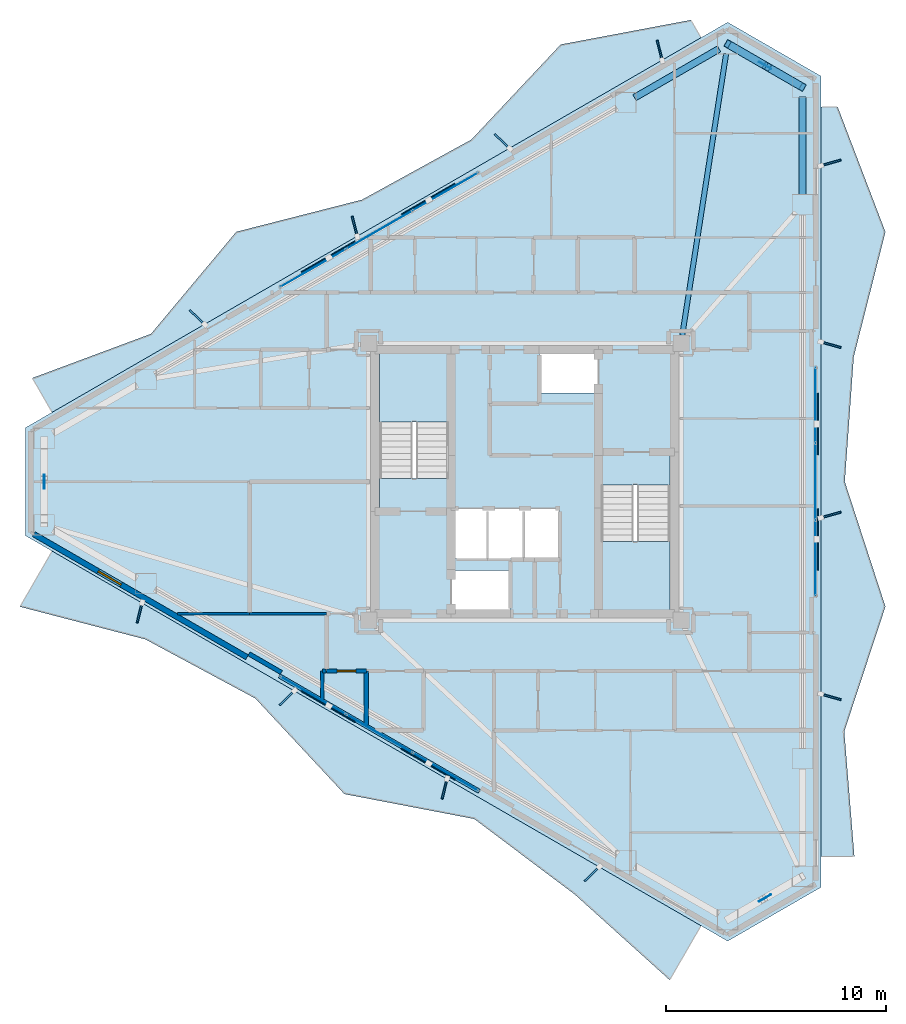
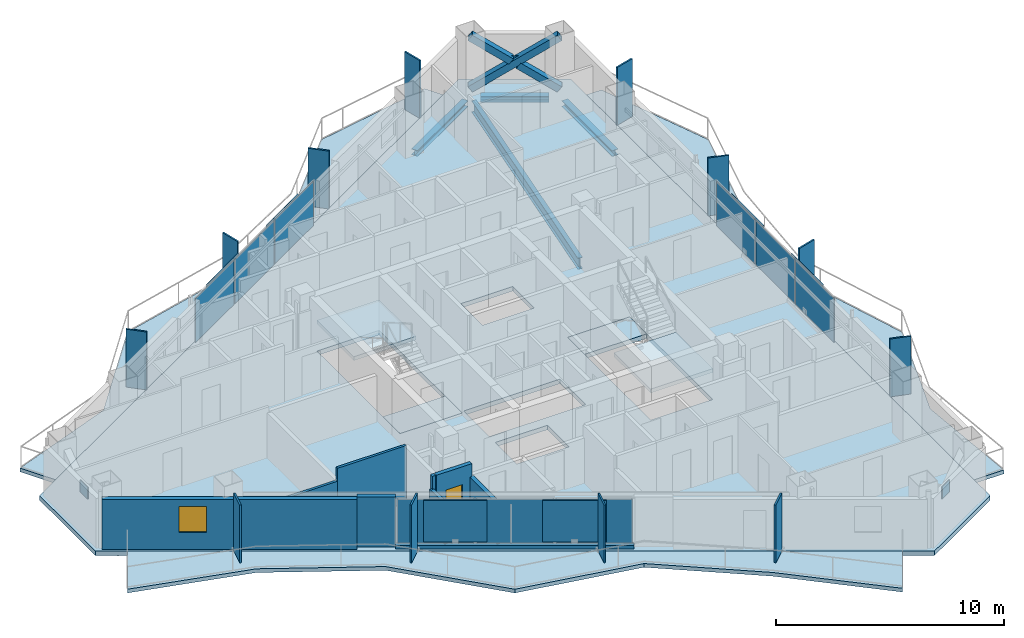
# One storey, part 11 of 19: 30 plates, 9 walls, 8 slabs, 4 beams, 3 members, 1 door, 1 window, 2 openings, 5 elements without a shape of their own.
"""IFC4 building model written with IfcOpenShell, lengths in metres."""

from ifc_helpers import new_model, si_unit, direction, frame, frame_2d, origin, origin_2d, place, context, subcontext, project, spatial, polyline, rectangle, hollow_rectangle, i_section, outline, extrude, material, layer, layer_set, material_profile, profile_set, type_object, element, fill, aggregate, save


model = new_model("IFC4")

# Units and contexts
model_context = context("Model", 3, precision=1e-05, world=origin(), true_north=direction((0.0, 1.0)))
body_context = subcontext(model_context, "Body", "Model", "MODEL_VIEW")
ifc_project = project(units=[si_unit("LENGTHUNIT", "METRE"), si_unit("AREAUNIT", "SQUARE_METRE"), si_unit("VOLUMEUNIT", "CUBIC_METRE"), si_unit("PLANEANGLEUNIT", "RADIAN"), si_unit("MASSUNIT", "GRAM", prefix="KILO")], contexts=[model_context])

# Site, building, storey
site_placement = place(None, origin())
site = spatial("IfcSite", under=ifc_project, at=site_placement, CompositionType="ELEMENT")
building_placement = place(site_placement, origin())
building = spatial("IfcBuilding", under=site, at=building_placement, Name="Mersakhor Tower and Convention Hall", CompositionType="ELEMENT")
storey_placement = place(building_placement, frame((0.0, 0.0, 131.10009765625)))
storey = spatial("IfcBuildingStorey", under=building, at=storey_placement, Name="L36", CompositionType="ELEMENT", Elevation=131.10009765625)

# Beams
ifc_material_1 = material(Name="Steel S355", Category="steel")
ifc_material_profile_1 = material_profile(ifc_material_1, i_section(OverallWidth=0.22900390625, OverallDepth=0.6123046875, WebThickness=0.011962890625, FlangeThickness=0.01953125, at=origin_2d()), Name="UB 610x229x125")
ifc_profile_set_1 = profile_set([ifc_material_profile_1], Name="Steel S355")
beam_type_1 = type_object("IfcBeamType", Name="BM-PR-610", PredefinedType="BEAM", material=ifc_profile_set_1)
beam_1_placement = place(storey_placement, frame((36.15478515625, 33.40087890625, -0.546142578125), z_axis=(0.154111159783, 0.988053515975, 0.0), x_axis=(-0.988053515975, 0.154111159783, 0.0)))
element("IfcBeam", 1, at=beam_1_placement, inside=storey, type_object=beam_type_1, Name="L36 Primary Floor Girder FG-2", PredefinedType="BEAM", context=body_context, shape_type="SweptSolid", body=[
    extrude(i_section(OverallWidth=0.22900390625, OverallDepth=0.6123046875, WebThickness=0.011962890625, FlangeThickness=0.01953125, at=origin_2d()), origin(), (0.0, 0.0, 1.0), 12.94921875),
])
ifc_material_2 = material(Name="Steel S355", Category="steel")
ifc_material_profile_2 = material_profile(ifc_material_2, i_section(OverallWidth=0.30908203125, OverallDepth=0.320556640625, WebThickness=0.013916015625, FlangeThickness=0.021728515625, at=origin_2d()), Name="UC 305x305x137")
ifc_profile_set_2 = profile_set([ifc_material_profile_2], Name="Steel S355")
beam_type_2 = type_object("IfcBeamType", Name="BM-SPD-UC305", PredefinedType="SPANDREL", material=ifc_profile_set_2)
beam_2_placement = place(storey_placement, frame((33.986572265625, 44.200439453125, -0.400390625), z_axis=(0.866038875684, 0.49997666526, 0.0), x_axis=(-0.49997666526, 0.866038875684, 0.0)))
element("IfcBeam", 2, at=beam_2_placement, inside=storey, type_object=beam_type_2, Name="L36 Perimeter Spandrel Beam SPB-03", PredefinedType="SPANDREL", context=body_context, shape_type="SweptSolid", body=[
    extrude(i_section(OverallWidth=0.30908203125, OverallDepth=0.320556640625, WebThickness=0.013916015625, FlangeThickness=0.021728515625, at=origin_2d()), origin(), (0.0, 0.0, 1.0), 4.433837890625),
])
beam_3_placement = place(storey_placement, frame((38.614501953125, 46.417236328125, -0.400390625), z_axis=(0.86604667077, -0.499963162692, 0.0), x_axis=(0.499963162692, 0.86604667077, 0.0)))
element("IfcBeam", 3, at=beam_3_placement, inside=storey, type_object=beam_type_2, Name="L36 Perimeter Spandrel Beam SPB-04", PredefinedType="SPANDREL", context=body_context, shape_type="SweptSolid", body=[
    extrude(i_section(OverallWidth=0.30908203125, OverallDepth=0.320556640625, WebThickness=0.013916015625, FlangeThickness=0.021728515625, at=origin_2d()), origin(), (0.0, 0.0, 1.0), 3.014404296875),
])
beam_4_placement = place(storey_placement, frame((41.619140625, 44.2275390625, -0.400390625), z_axis=(0.0, -1.0, 0.0), x_axis=(1.0, 0.0, 0.0)))
element("IfcBeam", 4, at=beam_4_placement, inside=storey, type_object=beam_type_2, Name="L36 Perimeter Spandrel Beam SPB-05", PredefinedType="SPANDREL", context=body_context, shape_type="SweptSolid", body=[
    extrude(i_section(OverallWidth=0.30908203125, OverallDepth=0.320556640625, WebThickness=0.013916015625, FlangeThickness=0.021728515625, at=origin_2d()), origin(), (0.0, 0.0, 1.0), 4.433837890625),
])

# Members
ifc_material_3 = material(Name="Steel S460", Category="steel")
ifc_material_profile_3 = material_profile(ifc_material_3, hollow_rectangle(XDim=0.35009765625, YDim=0.35009765625, WallThickness=0.02001953125, at=origin_2d()), Name="SHS 350x350x20")
ifc_profile_set_3 = profile_set([ifc_material_profile_3], Name="Steel S460")
member_type = type_object("IfcMemberType", Name="MB-BRC-SHS350", PredefinedType="BRACE", material=ifc_profile_set_3)
member_placement = place(storey_placement, frame((38.220458984375, 46.644775390625, 0.14990234375), z_axis=(0.70838533923, -0.408971551713, 0.575267312693), x_axis=(0.499986324622, 0.866033299124, 0.0)))
element("IfcMember", 5, at=member_placement, inside=storey, type_object=member_type, Name="L36 Chamfer Braced Frame Diagonal CB-1A", PredefinedType="BRACE", context=body_context, shape_type="SweptSolid", body=[
    extrude(hollow_rectangle(XDim=0.35009765625, YDim=0.35009765625, WallThickness=0.02001953125, at=origin_2d()), origin(), (0.0, 0.0, 1.0), 4.7978515625),
])
for number, where, z_axis, x_axis, name in (
    (6, (41.619140625, 44.6826171875, 0.14990234375), (-0.708409139881, 0.409012716899, 0.575208734242), (-0.500011469263, -0.866018781901, 0.0), "L36 Chamfer Braced Frame Diagonal CB-1B Lower Half"),
    (7, (39.782470703125, 45.742919921875, 1.6416015625), (-0.708409139881, 0.409012716899, 0.575208734242), (-0.500011469263, -0.866018781901, 0.0), "L36 Chamfer Braced Frame Diagonal CB-1B Upper Half"),
):
    element("IfcMember", number, at=place(storey_placement, frame(where, z_axis=z_axis, x_axis=x_axis)), inside=storey, type_object=member_type, Name=name, PredefinedType="BRACE", context=body_context, shape_type="SweptSolid", body=[
        extrude(hollow_rectangle(XDim=0.35009765625, YDim=0.35009765625, WallThickness=0.02001953125, at=origin_2d()), origin(), (0.0, 0.0, 1.0), 2.205078125),
    ])

# Curtain wall, plates
ifc_material_4 = material(Name="Dark solar low-E aluminium curtain wall", Category="aluminium")
ifc_layer_1 = layer(ifc_material_4, 0.169921875)
ifc_layer_set_1 = layer_set([ifc_layer_1], Name="Dark solar low-E aluminium curtain wall")
curtain_wall_type = type_object("IfcCurtainWallType", Name="CW-SYS-02", PredefinedType="USERDEFINED", material=ifc_layer_set_1)
curtain_wall_1_placement = place(storey_placement, origin())
curtain_wall_1 = element("IfcCurtainWall", 8, at=curtain_wall_1_placement, inside=storey, type_object=curtain_wall_type, Name="L36 Dark-Glass Curtain Wall F1-B2", ObjectType="CURTAIN WALL", PredefinedType="USERDEFINED")
ifc_material_5 = material(Name="Dark solar double glazing", Category="glass")
ifc_layer_2 = layer(ifc_material_5, 0.028076171875)
ifc_layer_set_2 = layer_set([ifc_layer_2], Name="Dark solar double glazing")
plate_type_1 = type_object("IfcPlateType", Name="CWP-GLZ-28", PredefinedType="CURTAIN_PANEL", material=ifc_layer_set_2)
plate_1_placement = place(storey_placement, frame((19.379638671875, 36.4599609375, 0.259765625), z_axis=(0.0, 0.0, 1.0), x_axis=(0.866030906807, 0.499990468363, 0.0)))
plate_1 = element("IfcPlate", 9, at=plate_1_placement, type_object=plate_type_1, Name="CW-02 panel 1.1", PredefinedType="CURTAIN_PANEL", context=body_context, shape_type="SweptSolid", body=[
    extrude(rectangle(XDim=3.3828125, YDim=0.028076171875, at=origin_2d()), origin(), (0.0, 0.0, 1.0), 2.360107421875),
])
plate_2_placement = place(storey_placement, frame((22.390380859375, 38.1982421875, 0.259765625), z_axis=(0.0, 0.0, 1.0), x_axis=(0.866030906807, 0.499990468363, 0.0)))
plate_2 = element("IfcPlate", 10, at=plate_2_placement, type_object=plate_type_1, Name="CW-02 panel 2.1", PredefinedType="CURTAIN_PANEL", context=body_context, shape_type="SweptSolid", body=[
    extrude(rectangle(XDim=3.42041015625, YDim=0.028076171875, at=origin_2d()), origin(), (0.0, 0.0, 1.0), 2.360107421875),
])
plate_3_placement = place(storey_placement, frame((25.401123046875, 39.9365234375, 0.259765625), z_axis=(0.0, 0.0, 1.0), x_axis=(0.866030906807, 0.499990468363, 0.0)))
plate_3 = element("IfcPlate", 11, at=plate_3_placement, type_object=plate_type_1, Name="CW-02 panel 3.1", PredefinedType="CURTAIN_PANEL", context=body_context, shape_type="SweptSolid", body=[
    extrude(rectangle(XDim=3.3828125, YDim=0.028076171875, at=origin_2d()), origin(), (0.0, 0.0, 1.0), 2.360107421875),
])
aggregate(curtain_wall_1, [plate_1, plate_2, plate_3])

curtain_wall_2_placement = place(storey_placement, origin())
curtain_wall_2 = element("IfcCurtainWall", 12, at=curtain_wall_2_placement, inside=storey, type_object=curtain_wall_type, Name="L36 Dark-Glass Curtain Wall F2-B2", ObjectType="CURTAIN WALL", PredefinedType="USERDEFINED")
plate_4_placement = place(storey_placement, frame((42.21923828125, 30.2265625, 0.259765625), z_axis=(0.0, 0.0, 1.0), x_axis=(0.0, -1.0, 0.0)))
plate_4 = element("IfcPlate", 13, at=plate_4_placement, type_object=plate_type_1, Name="CW-02 panel 1.1", PredefinedType="CURTAIN_PANEL", context=body_context, shape_type="SweptSolid", body=[
    extrude(rectangle(XDim=3.3828125, YDim=0.028076171875, at=origin_2d()), origin(), (0.0, 0.0, 1.0), 2.360107421875),
])
plate_5_placement = place(storey_placement, frame((42.21923828125, 26.75, 0.259765625), z_axis=(0.0, 0.0, 1.0), x_axis=(0.0, -1.0, 0.0)))
plate_5 = element("IfcPlate", 14, at=plate_5_placement, type_object=plate_type_1, Name="CW-02 panel 2.1", PredefinedType="CURTAIN_PANEL", context=body_context, shape_type="SweptSolid", body=[
    extrude(rectangle(XDim=3.42041015625, YDim=0.028076171875, at=origin_2d()), origin(), (0.0, 0.0, 1.0), 2.360107421875),
])
plate_6_placement = place(storey_placement, frame((42.21923828125, 23.2734375, 0.259765625), z_axis=(0.0, 0.0, 1.0), x_axis=(0.0, -1.0, 0.0)))
plate_6 = element("IfcPlate", 15, at=plate_6_placement, type_object=plate_type_1, Name="CW-02 panel 3.1", PredefinedType="CURTAIN_PANEL", context=body_context, shape_type="SweptSolid", body=[
    extrude(rectangle(XDim=3.3828125, YDim=0.028076171875, at=origin_2d()), origin(), (0.0, 0.0, 1.0), 2.360107421875),
])
aggregate(curtain_wall_2, [plate_4, plate_5, plate_6])

curtain_wall_3_placement = place(storey_placement, origin())
curtain_wall_3 = element("IfcCurtainWall", 16, at=curtain_wall_3_placement, inside=storey, type_object=curtain_wall_type, Name="L36 Dark-Glass Curtain Wall F3-B2", ObjectType="CURTAIN WALL", PredefinedType="USERDEFINED")
plate_7_placement = place(storey_placement, frame((25.401123046875, 13.5634765625, 0.259765625), z_axis=(0.0, 0.0, 1.0), x_axis=(-0.866030906807, 0.499990468363, 0.0)))
plate_7 = element("IfcPlate", 17, at=plate_7_placement, type_object=plate_type_1, Name="CW-02 panel 1.1", PredefinedType="CURTAIN_PANEL", context=body_context, shape_type="SweptSolid", body=[
    extrude(rectangle(XDim=3.3828125, YDim=0.028076171875, at=origin_2d()), origin(), (0.0, 0.0, 1.0), 2.360107421875),
])
plate_8_placement = place(storey_placement, frame((22.390380859375, 15.3017578125, 0.259765625), z_axis=(0.0, 0.0, 1.0), x_axis=(-0.866030906807, 0.499990468363, 0.0)))
plate_8 = element("IfcPlate", 18, at=plate_8_placement, type_object=plate_type_1, Name="CW-02 panel 2.1", PredefinedType="CURTAIN_PANEL", context=body_context, shape_type="SweptSolid", body=[
    extrude(rectangle(XDim=3.42041015625, YDim=0.028076171875, at=origin_2d()), origin(), (0.0, 0.0, 1.0), 2.360107421875),
])
plate_9_placement = place(storey_placement, frame((19.379638671875, 17.0400390625, 0.259765625), z_axis=(0.0, 0.0, 1.0), x_axis=(-0.866030906807, 0.499990468363, 0.0)))
plate_9 = element("IfcPlate", 19, at=plate_9_placement, type_object=plate_type_1, Name="CW-02 panel 3.1", PredefinedType="CURTAIN_PANEL", context=body_context, shape_type="SweptSolid", body=[
    extrude(rectangle(XDim=3.3828125, YDim=0.028076171875, at=origin_2d()), origin(), (0.0, 0.0, 1.0), 2.360107421875),
])
aggregate(curtain_wall_3, [plate_7, plate_8, plate_9])

# Plates
ifc_material_6 = material(Name="Ceramic-clad aluminium Zone 3 ochre-bronze", Category="aluminium")
ifc_material_7 = material(Name="Ceramic-clad aluminium Zone 1 cobalt-slate", Category="masonry")
ifc_layer_3 = layer(ifc_material_7, 0.080078125)
ifc_layer_set_3 = layer_set([ifc_layer_3], Name="Ceramic-clad aluminium Zone 1 cobalt-slate")
plate_type_2 = type_object("IfcPlateType", Name="PL-FIN-80", PredefinedType="USERDEFINED", material=ifc_layer_set_3)
for number, where, z_axis, x_axis, name in (
    (20, (14.119384765625, 34.215576171875, -0.000244140625), (0.0, 0.0, 1.0), (-0.719339800339, 0.694658370459, 0.0), "L36 Zone 3 Coloured Brise-Soleil Fin F1-1"),
    (21, (21.274169921875, 38.346435546875, -0.000244140625), (0.0, 0.0, 1.0), (-0.2419218956, 0.970295726276, 0.0), "L36 Zone 3 Coloured Brise-Soleil Fin F1-2"),
    (22, (27.9755859375, 42.215576171875, -0.000244140625), (0.0, 0.0, 1.0), (-0.719339800339, 0.694658370459, 0.0), "L36 Zone 3 Coloured Brise-Soleil Fin F1-3"),
    (23, (35.130615234375, 46.346435546875, -0.000244140625), (0.0, 0.0, 1.0), (-0.2419218956, 0.970295726276, 0.0), "L36 Zone 3 Coloured Brise-Soleil Fin F1-4"),
    (24, (42.90576171875, 41.237548828125, -0.000244140625), (0.0, 0.0, 1.0), (0.961261695938, 0.275637355817, 0.0), "L36 Zone 3 Coloured Brise-Soleil Fin F2-1"),
    (25, (42.90576171875, 32.9755859375, -0.000244140625), (0.0, 0.0, 1.0), (0.961261695938, -0.275637355817, 0.0), "L36 Zone 3 Coloured Brise-Soleil Fin F2-2"),
    (26, (42.90576171875, 25.237548828125, -0.000244140625), (0.0, 0.0, 1.0), (0.961261695938, 0.275637355817, 0.0), "L36 Zone 3 Coloured Brise-Soleil Fin F2-3"),
    (27, (42.90576171875, 16.9755859375, -0.000244140625), (0.0, 0.0, 1.0), (0.961261695938, -0.275637355817, 0.0), "L36 Zone 3 Coloured Brise-Soleil Fin F2-4"),
    (28, (32.0576171875, 8.927734375, -0.000244140625), (0.0, 0.0, 1.0), (-0.719339800339, -0.694658370459, 0.0), "L36 Zone 3 Coloured Brise-Soleil Fin F3-1"),
    (29, (25.356201171875, 12.796875, -0.000244140625), (0.0, 0.0, 1.0), (-0.2419218956, -0.970295726276, 0.0), "L36 Zone 3 Coloured Brise-Soleil Fin F3-2"),
    (30, (18.201171875, 16.927734375, -0.000244140625), (0.0, 0.0, 1.0), (-0.719339800339, -0.694658370459, 0.0), "L36 Zone 3 Coloured Brise-Soleil Fin F3-3"),
    (31, (11.499755859375, 20.796875, -0.000244140625), (0.0, 0.0, 1.0), (-0.2419218956, -0.970295726276, 0.0), "L36 Zone 3 Coloured Brise-Soleil Fin F3-4"),
):
    element("IfcPlate", number, at=place(storey_placement, frame(where, z_axis=z_axis, x_axis=x_axis)), inside=storey, type_object=plate_type_2, material=ifc_material_6, Name=name, ObjectType="FIN", PredefinedType="USERDEFINED", context=body_context, shape_type="SweptSolid", body=[
        extrude(rectangle(XDim=0.949951171875, YDim=0.080078125, at=origin_2d()), origin(), (0.0, 0.0, 1.0), 3.10009765625),
    ])
ifc_material_8 = material(Name="Steel S460", Category="steel")
ifc_layer_4 = layer(ifc_material_8, 0.0400390625)
ifc_layer_set_4 = layer_set([ifc_layer_4], Name="Steel S460")
plate_type_3 = type_object("IfcPlateType", Name="PL-GUSSET-40", PredefinedType="SHEET", material=ifc_layer_set_4)
for number, where, z_axis, x_axis, name in (
    (32, (39.919921875, 45.663818359375, 1.2099609375), (0.0, 0.0, 1.0), (-0.866025403784, 0.5, 0.0), "L36 X-Brace Crossing Gusset Node Plate"),
    (33, (39.919921875, 7.836181640625, 1.2099609375), (0.0, 0.0, 1.0), (0.866025403784, 0.5, 0.0), "L36 X-Brace Crossing Gusset Node Plate"),
    (34, (7.160400390625, 26.75, 1.2099609375), (0.0, 0.0, 1.0), (0.0, -1.0, 0.0), "L36 X-Brace Crossing Gusset Node Plate"),
):
    element("IfcPlate", number, at=place(storey_placement, frame(where, z_axis=z_axis, x_axis=x_axis)), inside=storey, type_object=plate_type_3, Name=name, PredefinedType="SHEET", context=body_context, shape_type="SweptSolid", body=[
        extrude(rectangle(XDim=0.639892578125, YDim=0.0400390625, at=origin_2d()), origin(), (0.0, 0.0, 1.0), 0.639892578125),
    ])
ifc_material_9 = material(Name="Perforated ceramic cobogo solar screen", Category="aluminium")
ifc_layer_5 = layer(ifc_material_9, 0.048095703125)
ifc_layer_set_5 = layer_set([ifc_layer_5], Name="Perforated ceramic cobogo solar screen")
plate_type_4 = type_object("IfcPlateType", Name="PL-SCR-48", PredefinedType="USERDEFINED", material=ifc_layer_set_5)
for number, where, z_axis, x_axis, name in (
    (35, (20.072998046875, 36.96875, 0.39990234375), (0.0, 0.0, 1.0), (0.866025403784, 0.5, 0.0), "L36 Perforated Ceramic Solar Screen F1-1"),
    (36, (24.61376953125, 39.59033203125, 0.39990234375), (0.0, 0.0, 1.0), (0.866025403784, 0.5, 0.0), "L36 Perforated Ceramic Solar Screen F1-2"),
    (37, (42.313232421875, 29.37158203125, 0.39990234375), (0.0, 0.0, 1.0), (0.0, -1.0, 0.0), "L36 Perforated Ceramic Solar Screen F2-1"),
    (38, (42.313232421875, 24.12841796875, 0.39990234375), (0.0, 0.0, 1.0), (0.0, -1.0, 0.0), "L36 Perforated Ceramic Solar Screen F2-2"),
    (39, (24.61376953125, 13.90966796875, 0.39990234375), (0.0, 0.0, 1.0), (-0.866025403784, 0.5, 0.0), "L36 Perforated Ceramic Solar Screen F3-1"),
    (40, (20.072998046875, 16.53125, 0.39990234375), (0.0, 0.0, 1.0), (-0.866025403784, 0.5, 0.0), "L36 Perforated Ceramic Solar Screen F3-2"),
):
    element("IfcPlate", number, at=place(storey_placement, frame(where, z_axis=z_axis, x_axis=x_axis)), inside=storey, type_object=plate_type_4, Name=name, ObjectType="SCREEN", PredefinedType="USERDEFINED", context=body_context, shape_type="SweptSolid", body=[
        extrude(rectangle(XDim=2.800048828125, YDim=0.048095703125, at=origin_2d()), origin(), (0.0, 0.0, 1.0), 2.22998046875),
    ])

# Slabs
ifc_material_10 = material(Name="Concrete C45/55", Category="concrete")
ifc_layer_6 = layer(ifc_material_10, 0.199951171875)
ifc_layer_set_6 = layer_set([ifc_layer_6], Name="Concrete C45/55")
slab_type_1 = type_object("IfcSlabType", Name="SL-BAL-200", PredefinedType="FLOOR", material=ifc_layer_set_6)
slab_1_placement = place(storey_placement, frame((0.0, 0.0, -0.2001953125)))
element("IfcSlab", 41, at=slab_1_placement, inside=storey, type_object=slab_type_1, Name="L36 Sinusoidal Balcony Slab Face 1", PredefinedType="FLOOR", context=body_context, shape_type="SweptSolid", body=[
    extrude(outline(polyline([(7.522705078125, 29.903076171875), (37.008056640625, 46.92626953125), (36.543701171875, 47.730712890625), (30.6337890625, 46.617919921875), (26.57568359375, 42.2978515625), (21.60205078125, 39.563720703125), (15.89111328125, 38.106201171875), (12.015869140625, 33.4697265625), (6.622802734375, 31.4619140625), (7.522705078125, 29.903076171875)])), origin(), (0.0, 0.0, 1.0), 0.2001953125),
])
slab_2_placement = place(storey_placement, frame((0.0, 0.0, -0.2001953125)))
element("IfcSlab", 42, at=slab_2_placement, inside=storey, type_object=slab_type_1, Name="L36 Sinusoidal Balcony Slab Face 2", PredefinedType="FLOOR", context=body_context, shape_type="SweptSolid", body=[
    extrude(outline(polyline([(42.46923828125, 43.773193359375), (42.46923828125, 9.726806640625), (43.9775390625, 9.726806640625), (43.51806640625, 15.401123046875), (45.38916015625, 21.07568359375), (43.54150390625, 26.75), (43.948974609375, 32.42431640625), (45.388427734375, 38.098876953125), (43.22119140625, 43.773193359375), (42.46923828125, 43.773193359375)])), origin(), (0.0, 0.0, 1.0), 0.2001953125),
])
slab_3_placement = place(storey_placement, frame((0.0, 0.0, -0.2001953125)))
element("IfcSlab", 43, at=slab_3_placement, inside=storey, type_object=slab_type_1, Name="L36 Sinusoidal Balcony Slab Face 3", PredefinedType="FLOOR", context=body_context, shape_type="SweptSolid", body=[
    extrude(outline(polyline([(37.008056640625, 6.57373046875), (7.522705078125, 23.596923828125), (6.062744140625, 21.068115234375), (11.760009765625, 19.587158203125), (16.760009765625, 16.898681640625), (20.805419921875, 12.556640625), (26.704833984375, 11.42578125), (31.274658203125, 7.991943359375), (35.583984375, 4.107421875), (37.008056640625, 6.57373046875)])), origin(), (0.0, 0.0, 1.0), 0.2001953125),
])
ifc_material_11 = material(Name="Concrete C40/50", Category="concrete")
ifc_layer_7 = layer(ifc_material_11, 0.239990234375)
ifc_layer_set_7 = layer_set([ifc_layer_7], Name="Concrete C40/50")
slab_type_2 = type_object("IfcSlabType", Name="SL-FLR-240", PredefinedType="FLOOR", material=ifc_layer_set_7)
slab_4_placement = place(storey_placement, frame((0.0, 0.0, -0.239990234375)))
element("IfcSlab", 44, at=slab_4_placement, inside=storey, type_object=slab_type_2, Name="L36 ST-1 Structural Stair Floor Landing", PredefinedType="LANDING", context=body_context, shape_type="SweptSolid", body=[
    extrude(outline(polyline([(25.550048828125, 25.39990234375), (25.550048828125, 26.89990234375), (22.39990234375, 26.89990234375), (22.39990234375, 25.39990234375), (25.550048828125, 25.39990234375)])), origin(), (0.0, 0.0, 1.0), 0.239990234375),
])
slab_5_placement = place(storey_placement, frame((0.0, 0.0, -0.239990234375)))
element("IfcSlab", 45, at=slab_5_placement, inside=storey, type_object=slab_type_2, Name="L36 ST-2 Structural Stair Floor Landing", PredefinedType="LANDING", context=body_context, shape_type="SweptSolid", body=[
    extrude(outline(polyline([(32.449951171875, 28.10009765625), (32.449951171875, 26.60009765625), (35.60009765625, 26.60009765625), (35.60009765625, 28.10009765625), (32.449951171875, 28.10009765625)])), origin(), (0.0, 0.0, 1.0), 0.239990234375),
])
slab_6_placement = place(storey_placement, frame((0.0, 0.0, -0.239990234375)))
element("IfcSlab", 46, at=slab_6_placement, inside=storey, type_object=slab_type_2, Name="Tower L36 Structural Floor Slab", PredefinedType="FLOOR", context=body_context, shape_type="SweptSolid", body=[
    extrude(outline(polyline([(6.310302734375, 29.202880859375), (38.220458984375, 47.626220703125), (42.46923828125, 45.17333984375), (42.46923828125, 8.32666015625), (38.220458984375, 5.873779296875), (6.310302734375, 24.297119140625), (6.310302734375, 29.202880859375)]), holes=[polyline([(25.550048828125, 25.39990234375), (25.550048828125, 32.699951171875), (22.39990234375, 32.699951171875), (22.39990234375, 25.39990234375), (25.550048828125, 25.39990234375)]), polyline([(32.449951171875, 28.10009765625), (32.449951171875, 20.800048828125), (35.60009765625, 20.800048828125), (35.60009765625, 28.10009765625), (32.449951171875, 28.10009765625)]), polyline([(25.679931640625, 20.820068359375), (25.679931640625, 22.719970703125), (28.320068359375, 22.719970703125), (28.320068359375, 20.820068359375), (25.679931640625, 20.820068359375)]), polyline([(29.679931640625, 30.780029296875), (29.679931640625, 32.679931640625), (32.320068359375, 32.679931640625), (32.320068359375, 30.780029296875), (29.679931640625, 30.780029296875)]), polyline([(25.679931640625, 23.25), (25.679931640625, 25.5), (30.570068359375, 25.5), (30.570068359375, 23.25), (25.679931640625, 23.25)])]), origin(), (0.0, 0.0, 1.0), 0.239990234375),
])

# Stair, slab
ifc_material_12 = material(Name="Concrete C45/55", Category="concrete")
stair_type = type_object("IfcStairType", Name="ST-TWR-20R", PredefinedType="HALF_TURN_STAIR", material=ifc_material_12)
stair_1_placement = place(storey_placement, origin())
stair_1 = element("IfcStair", 47, at=stair_1_placement, inside=storey, type_object=stair_type, Name="L36 Tower Protected Exit Stair ST-1", PredefinedType="HALF_TURN_STAIR")
ifc_material_13 = material(Name="Concrete C45/55", Category="concrete")
ifc_layer_8 = layer(ifc_material_13, 0.199951171875)
ifc_layer_set_8 = layer_set([ifc_layer_8], Name="Concrete C45/55")
slab_type_3 = type_object("IfcSlabType", Name="SL-LAND-200", PredefinedType="LANDING", material=ifc_layer_set_8)
slab_7_placement = place(storey_placement, frame((0.0, 0.0, 1.449951171875)))
slab_7 = element("IfcSlab", 48, at=slab_7_placement, type_object=slab_type_3, Name="ST-1 landing 1", PredefinedType="LANDING", context=body_context, shape_type="SweptSolid", body=[
    extrude(outline(polyline([(25.550048828125, 29.465087890625), (25.550048828125, 32.699951171875), (22.39990234375, 32.699951171875), (22.39990234375, 29.465087890625), (25.550048828125, 29.465087890625)])), origin(), (0.0, 0.0, 1.0), 0.199951171875),
])
aggregate(stair_1, [slab_7])

stair_2_placement = place(storey_placement, origin())
stair_2 = element("IfcStair", 49, at=stair_2_placement, inside=storey, type_object=stair_type, Name="L36 Tower Protected Exit Stair ST-2", PredefinedType="HALF_TURN_STAIR")
slab_8_placement = place(storey_placement, frame((0.0, 0.0, 1.449951171875)))
slab_8 = element("IfcSlab", 50, at=slab_8_placement, type_object=slab_type_3, Name="ST-2 landing 1", PredefinedType="LANDING", context=body_context, shape_type="SweptSolid", body=[
    extrude(outline(polyline([(32.449951171875, 24.034912109375), (32.449951171875, 20.800048828125), (35.60009765625, 20.800048828125), (35.60009765625, 24.034912109375), (32.449951171875, 24.034912109375)])), origin(), (0.0, 0.0, 1.0), 0.199951171875),
])
aggregate(stair_2, [slab_8])

# Wall, opening, window
ifc_material_14 = material(Name="Precast concrete C40/50", Category="concrete")
ifc_layer_9 = layer(ifc_material_14, 0.25)
ifc_layer_set_9 = layer_set([ifc_layer_9], Name="Precast concrete C40/50")
wall_type_1 = type_object("IfcWallType", Name="WL-EXT-250", PredefinedType="SOLIDWALL", material=ifc_layer_set_9)
wall_1_placement = place(storey_placement, frame((16.377685546875, 18.773193359375, 0.0), z_axis=(0.0, 0.0, 1.0), x_axis=(-0.866027848477, 0.499995765644, 0.0)))
wall_1 = element("IfcWall", 51, at=wall_1_placement, inside=storey, type_object=wall_type_1, Name="L36 Exterior Facade Wall F3-B3", PredefinedType="SOLIDWALL", context=body_context, shape_type="SweptSolid", body=[
    extrude(rectangle(XDim=11.18603515625, YDim=0.25, at=frame_2d((5.593017578125, 0.0))), origin(), (0.0, 0.0, 1.0), 2.679931640625),
])
opening_1_placement = place(wall_1_placement, frame((6.60498046875, 0.0, 0.89990234375)))
opening_1 = element("IfcOpeningElement", 52, at=opening_1_placement, cuts=wall_1, Name="Opening W-01", PredefinedType="OPENING", context=body_context, shape_type="SweptSolid", body=[
    extrude(rectangle(XDim=1.199951171875, YDim=1.39990234375, at=frame_2d((0.60009765625, 0.699951171875))), frame((0.0, 0.135009765625, 0.0), z_axis=(0.0, -1.0, 0.0), x_axis=(1.0, 0.0, 0.0)), (0.0, 0.0, 1.0), 0.27001953125),
])
ifc_material_15 = material(Name="Dark solar low-E glazed aluminium window", Category="aluminium")
window_type = type_object("IfcWindowType", Name="WN-RES-120x150", PartitioningType="SINGLE_PANEL", PredefinedType="WINDOW", material=ifc_material_15)
window_placement = place(opening_1_placement, origin())
window = element("IfcWindow", 53, at=window_placement, inside=storey, type_object=window_type, Name="L36 Bedroom Facade Window F3-B3-1", OverallHeight=1.39990234375, OverallWidth=1.199951171875, PartitioningType="SINGLE_PANEL", PredefinedType="WINDOW", context=body_context, shape_type="SweptSolid", body=[
    extrude(rectangle(XDim=1.199951171875, YDim=1.39990234375, at=frame_2d((0.60009765625, 0.699951171875))), frame((0.0, 0.030029296875, 0.0), z_axis=(0.0, -1.0, 0.0), x_axis=(1.0, 0.0, 0.0)), (0.0, 0.0, 1.0), 0.06005859375),
])
fill(opening_1, window)

# Walls
ifc_material_16 = material(Name="Precast concrete C40/50", Category="concrete")
ifc_layer_10 = layer(ifc_material_16, 0.199951171875)
ifc_layer_set_10 = layer_set([ifc_layer_10], Name="Precast concrete C40/50")
wall_type_2 = type_object("IfcWallType", Name="WL-PAR-200", PredefinedType="PARAPET", material=ifc_layer_set_10)
wall_2_placement = place(storey_placement, frame((26.930908203125, 12.680419921875, 0.0), z_axis=(0.0, 0.0, 1.0), x_axis=(-0.866026619769, 0.499997893847, 0.0)))
element("IfcWall", 54, at=wall_2_placement, inside=storey, type_object=wall_type_2, Name="L36 Curtain Wall Upstand Sill F3-B2", PredefinedType="PARAPET", context=body_context, shape_type="SweptSolid", body=[
    extrude(rectangle(XDim=10.48583984375, YDim=0.199951171875, at=frame_2d((5.242919921875, 0.0))), origin(), (0.0, 0.0, 1.0), 0.199951171875),
])
wall_3_placement = place(storey_placement, frame((17.939697265625, 18.0791015625, 0.0), z_axis=(0.0, 0.0, 1.0), x_axis=(-0.865989465428, 0.500062241894, 0.0)))
element("IfcWall", 55, at=wall_3_placement, inside=storey, type_object=wall_type_2, Name="L36 Column Pier Cladding Wall F3-C2", PredefinedType="PARAPET", context=body_context, shape_type="SweptSolid", body=[
    extrude(rectangle(XDim=1.699951171875, YDim=0.199951171875, at=frame_2d((0.85009765625, 0.0))), origin(), (0.0, 0.0, 1.0), 2.679931640625),
])
ifc_material_17 = material(Name="Moisture-resistant acoustic drywall studwork", Category="other")
ifc_layer_11 = layer(ifc_material_17, 0.175048828125)
ifc_layer_set_11 = layer_set([ifc_layer_11], Name="Moisture-resistant acoustic drywall studwork")
wall_type_3 = type_object("IfcWallType", Name="WL-PLM-175", PredefinedType="PLUMBINGWALL", material=ifc_layer_set_11)
wall_4_placement = place(storey_placement, frame((19.800048828125, 18.14990234375, 0.0), z_axis=(0.0, 0.0, 1.0), x_axis=(1.0, 0.0, 0.0)))
element("IfcWall", 56, at=wall_4_placement, inside=storey, type_object=wall_type_3, Name="L36 Interior Partition Wall P-071", PredefinedType="PLUMBINGWALL", context=body_context, shape_type="SweptSolid", body=[
    extrude(rectangle(XDim=0.169921875, YDim=0.175048828125, at=frame_2d((0.0849609375, 0.0))), origin(), (0.0, 0.0, 1.0), 3.059814453125),
])
wall_5_placement = place(storey_placement, frame((19.800048828125, 16.84130859375, 0.0), z_axis=(0.0, 0.0, 1.0), x_axis=(0.0, 1.0, 0.0)))
element("IfcWall", 57, at=wall_5_placement, inside=storey, type_object=wall_type_3, Name="L36 Interior Partition Wall P-073", PredefinedType="PLUMBINGWALL", context=body_context, shape_type="SweptSolid", body=[
    extrude(rectangle(XDim=1.30859375, YDim=0.175048828125, at=frame_2d((0.654296875, 0.0))), origin(), (0.0, 0.0, 1.0), 2.364990234375),
])
ifc_material_18 = material(Name="Gypsum board acoustic partition", Category="other")
ifc_layer_12 = layer(ifc_material_18, 0.125)
ifc_layer_set_12 = layer_set([ifc_layer_12], Name="Gypsum board acoustic partition")
wall_type_4 = type_object("IfcWallType", Name="WL-PRT-125", PredefinedType="PARTITIONING", material=ifc_layer_set_12)
wall_6_placement = place(storey_placement, frame((20.0, 20.75, 0.0), z_axis=(0.0, 0.0, 1.0), x_axis=(-1.0, 0.0, 0.0)))
element("IfcWall", 58, at=wall_6_placement, inside=storey, type_object=wall_type_4, Name="L36 Interior Partition Wall P-093", PredefinedType="PARTITIONING", context=body_context, shape_type="SweptSolid", body=[
    extrude(rectangle(XDim=3.5, YDim=0.125, at=frame_2d((1.75, 0.0))), origin(), (0.0, 0.0, 1.0), 3.059814453125),
])
wall_7_placement = place(storey_placement, frame((16.5, 20.75, 0.0), z_axis=(0.0, 0.0, 1.0), x_axis=(-1.0, 0.0, 0.0)))
element("IfcWall", 59, at=wall_7_placement, inside=storey, type_object=wall_type_4, Name="L36 Interior Partition Wall P-127", PredefinedType="PARTITIONING", context=body_context, shape_type="SweptSolid", body=[
    extrude(rectangle(XDim=3.275146484375, YDim=0.125, at=frame_2d((1.6376953125, 0.0))), origin(), (0.0, 0.0, 1.0), 2.364990234375),
])

# Wall, opening, door
ifc_material_19 = material(Name="Acoustic concrete blockwork and gypsum board", Category="masonry")
ifc_layer_13 = layer(ifc_material_19, 0.199951171875)
ifc_layer_set_13 = layer_set([ifc_layer_13], Name="Acoustic concrete blockwork and gypsum board")
wall_type_5 = type_object("IfcWallType", Name="WL-PRT-200", PredefinedType="PARTITIONING", material=ifc_layer_set_13)
wall_8_placement = place(storey_placement, frame((21.800048828125, 18.14990234375, 0.0), z_axis=(0.0, 0.0, 1.0), x_axis=(-1.0, 0.0, 0.0)))
wall_8 = element("IfcWall", 60, at=wall_8_placement, inside=storey, type_object=wall_type_5, Name="L36 Interior Partition Wall P-047", PredefinedType="PARTITIONING", context=body_context, shape_type="SweptSolid", body=[
    extrude(rectangle(XDim=1.800048828125, YDim=0.199951171875, at=frame_2d((0.89990234375, 0.0))), origin(), (0.0, 0.0, 1.0), 3.059814453125),
])
opening_2_placement = place(wall_8_placement, frame((0.47509765625, 0.0, 0.0)))
opening_2 = element("IfcOpeningElement", 61, at=opening_2_placement, cuts=wall_8, Name="Opening SVD-01", PredefinedType="OPENING", context=body_context, shape_type="SweptSolid", body=[
    extrude(rectangle(XDim=0.85009765625, YDim=2.10009765625, at=frame_2d((0.425048828125, 1.050048828125))), frame((0.0, 0.10986328125, 0.0), z_axis=(0.0, -1.0, 0.0), x_axis=(1.0, 0.0, 0.0)), (0.0, 0.0, 1.0), 0.219970703125),
])
ifc_material_20 = material(Name="Fire-rated hardwood leaf and painted steel frame", Category="steel")
door_type = type_object("IfcDoorType", Name="DR-INT-SVC-085x210", OperationType="NOTDEFINED", PredefinedType="DOOR", material=ifc_material_20)
door_placement = place(opening_2_placement, origin())
door = element("IfcDoor", 62, at=door_placement, inside=storey, type_object=door_type, Name="L36 Residential South Gallery Corridor to L36 Floor Shared Restroom WC 2-2 Door", OperationType="SINGLE_SWING_RIGHT", OverallHeight=2.10009765625, OverallWidth=0.85009765625, PredefinedType="DOOR", context=body_context, shape_type="SweptSolid", body=[
    extrude(rectangle(XDim=0.85009765625, YDim=2.10009765625, at=frame_2d((0.425048828125, 1.050048828125))), frame((0.0, 0.02490234375, 0.0), z_axis=(0.0, -1.0, 0.0), x_axis=(1.0, 0.0, 0.0)), (0.0, 0.0, 1.0), 0.050048828125),
])
fill(opening_2, door)

# Wall
wall_9_placement = place(storey_placement, frame((21.800048828125, 18.14990234375, 0.0), z_axis=(0.0, 0.0, 1.0), x_axis=(0.0, -1.0, 0.0)))
element("IfcWall", 63, at=wall_9_placement, inside=storey, type_object=wall_type_5, Name="L36 Interior Partition Wall P-072", PredefinedType="PARTITIONING", context=body_context, shape_type="SweptSolid", body=[
    extrude(rectangle(XDim=2.46337890625, YDim=0.199951171875, at=frame_2d((1.231689453125, 0.0))), origin(), (0.0, 0.0, 1.0), 2.364990234375),
])

save(model, "model.ifc")
